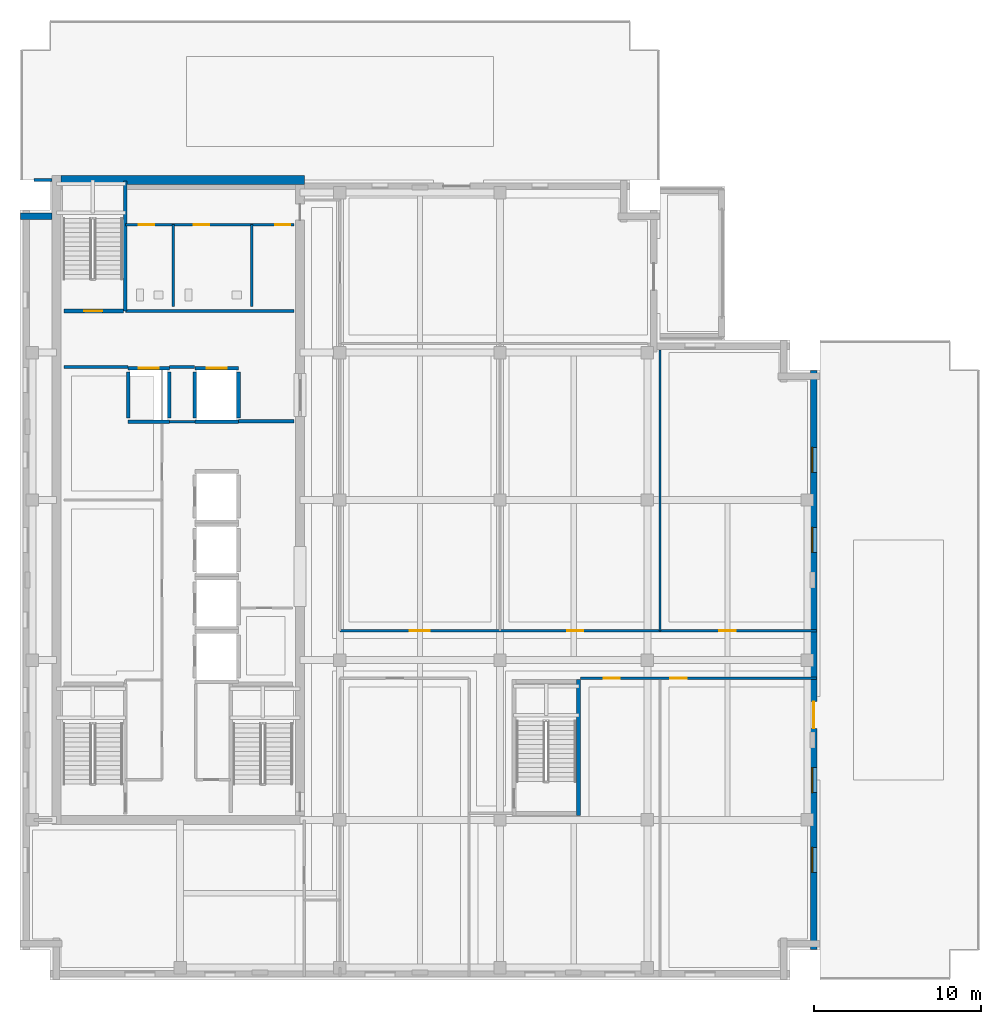
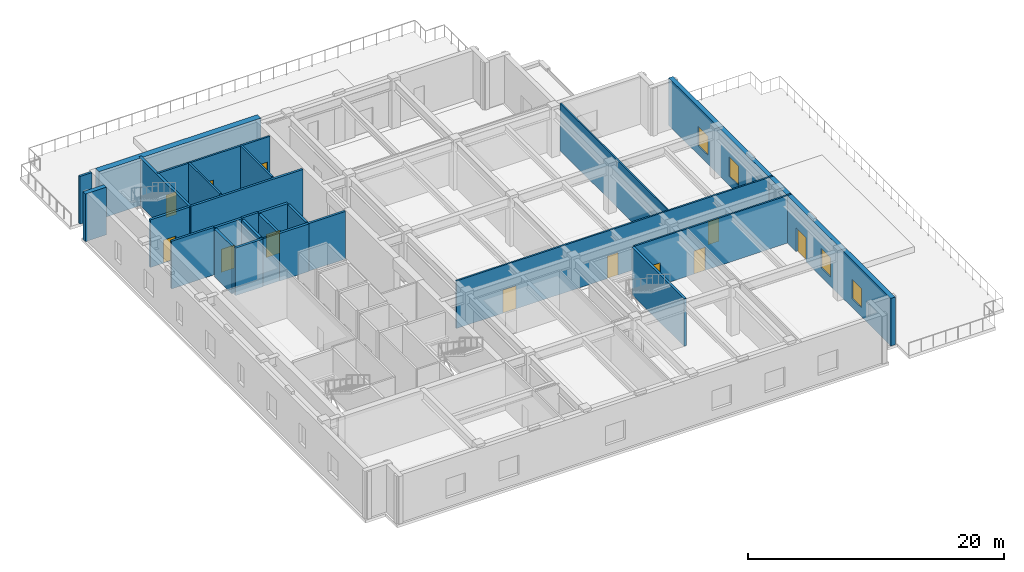
# One storey, part 5 of 11: 26 walls, 12 doors, 4 windows, 16 openings.
"""IFC4 building model written with IfcOpenShell, lengths in metres."""

from ifc_helpers import new_model, si_unit, direction, frame, frame_2d, origin, place, context, subcontext, project, spatial, rectangle, extrude, material, layer, layer_set, type_object, element, fill, save


model = new_model("IFC4")

# Units and contexts
model_context = context("Model", 3, precision=1e-05, world=origin(), true_north=direction((0.0, 1.0)))
body_context = subcontext(model_context, "Body", "Model", "MODEL_VIEW")
ifc_project = project(units=[si_unit("LENGTHUNIT", "METRE"), si_unit("AREAUNIT", "SQUARE_METRE"), si_unit("VOLUMEUNIT", "CUBIC_METRE"), si_unit("PLANEANGLEUNIT", "RADIAN"), si_unit("MASSUNIT", "GRAM", prefix="KILO")], contexts=[model_context])

# Site, building, storey
site_placement = place(None, origin())
site = spatial("IfcSite", under=ifc_project, at=site_placement, CompositionType="ELEMENT")
building_placement = place(site_placement, origin())
building = spatial("IfcBuilding", under=site, at=building_placement, Name="Norrvale University Quadrangle", CompositionType="ELEMENT")
storey_placement = place(building_placement, frame((0.0, 0.0, 261.0)))
storey = spatial("IfcBuildingStorey", under=building, at=storey_placement, Name="L66", CompositionType="ELEMENT", Elevation=261.0)

# Walls
ifc_material_1 = material(Name="Concrete C60/75", Category="concrete")
ifc_layer_1 = layer(ifc_material_1, 0.550048828125, Name="Concrete C60/75")
ifc_layer_set_1 = layer_set([ifc_layer_1], Name="Concrete C60/75")
wall_type_1 = type_object("IfcWallType", Name="Wall Core 550", PredefinedType="SHEAR", material=ifc_layer_set_1)
wall_1_placement = place(storey_placement, frame((2.47509765625, 48.0, 0.0), z_axis=(0.0, 0.0, 1.0), x_axis=(1.0, 0.0, 0.0)))
element("IfcWall", 1, at=wall_1_placement, inside=storey, type_object=wall_type_1, Name="Tower Core Shear Wall L66-N", PredefinedType="SHEAR", context=body_context, shape_type="SweptSolid", body=[
    extrude(rectangle(XDim=14.599853515625, YDim=0.550048828125, at=frame_2d((7.2998046875, 0.0))), origin(), (0.0, 0.0, 1.0), 4.5400390625),
])
ifc_material_2 = material(Name="Standard Academic Gypsum Partition")
ifc_layer_2 = layer(ifc_material_2, 0.125, Name="Standard Academic Gypsum Partition")
ifc_layer_set_2 = layer_set([ifc_layer_2], Name="Standard Academic Gypsum Partition")
wall_type_2 = type_object("IfcWallType", Name="Wall Gypsum Academic 125", PredefinedType="PARTITIONING", material=ifc_layer_set_2)
wall_2_placement = place(storey_placement, frame((38.39990234375, 20.949951171875, 0.0), z_axis=(0.0, 0.0, 1.0), x_axis=(0.0, 1.0, 0.0)))
element("IfcWall", 2, at=wall_2_placement, inside=storey, type_object=wall_type_2, Name="Interior Partition WL-L66-MEP02", PredefinedType="PARTITIONING", context=body_context, shape_type="SweptSolid", body=[
    extrude(rectangle(XDim=16.840087890625, YDim=0.125, at=frame_2d((8.419921875, 0.0))), origin(), (0.0, 0.0, 1.0), 4.5400390625),
])
ifc_material_3 = material(Name="Fire-Rated Gypsum Stud Partition")
ifc_layer_3 = layer(ifc_material_3, 0.14990234375, Name="Fire-Rated Gypsum Stud Partition")
ifc_layer_set_3 = layer_set([ifc_layer_3], Name="Fire-Rated Gypsum Stud Partition")
wall_type_3 = type_object("IfcWallType", Name="Wall Gypsum Corridor 150", PredefinedType="PARTITIONING", material=ifc_layer_set_3)
wall_3_placement = place(storey_placement, frame((8.965087890625, 33.489990234375, 0.0), z_axis=(0.0, 0.0, 1.0), x_axis=(1.0, 0.0, 0.0)))
element("IfcWall", 3, at=wall_3_placement, inside=storey, type_object=wall_type_3, Name="Interior Partition WL-L66-LL3", PredefinedType="PARTITIONING", context=body_context, shape_type="SweptSolid", body=[
    extrude(rectangle(XDim=1.52001953125, YDim=0.14990234375, at=frame_2d((0.760009765625, 0.0))), origin(), (0.0, 0.0, 1.0), 4.5400390625),
])

# Wall, openings, doors
wall_4_placement = place(storey_placement, frame((33.6201171875, 18.10009765625, 0.0), z_axis=(0.0, 0.0, 1.0), x_axis=(1.0, 0.0, 0.0)))
wall_4 = element("IfcWall", 4, at=wall_4_placement, inside=storey, type_object=wall_type_3, Name="Interior Partition WL-L66-SEW2", PredefinedType="PARTITIONING", context=body_context, shape_type="SweptSolid", body=[
    extrude(rectangle(XDim=14.159912109375, YDim=0.14990234375, at=frame_2d((7.080078125, 0.0))), origin(), (0.0, 0.0, 1.0), 4.5400390625),
])
opening_1_placement = place(wall_4_placement, frame((1.39990234375, 0.0, 0.0)))
opening_1 = element("IfcOpeningElement", 5, at=opening_1_placement, cuts=wall_4, Name="Opening D07", PredefinedType="OPENING", context=body_context, shape_type="SweptSolid", body=[
    extrude(rectangle(XDim=0.949951171875, YDim=2.14990234375, at=frame_2d((0.47509765625, 1.074951171875))), frame((0.0, 0.0869140625, 0.0), z_axis=(0.0, -1.0, 0.0), x_axis=(1.0, 0.0, 0.0)), (0.0, 0.0, 1.0), 0.173828125),
])
opening_2_placement = place(wall_4_placement, frame((5.39990234375, 0.0, 0.0)))
opening_2 = element("IfcOpeningElement", 6, at=opening_2_placement, cuts=wall_4, Name="Opening D04", PredefinedType="OPENING", context=body_context, shape_type="SweptSolid", body=[
    extrude(rectangle(XDim=1.0, YDim=2.199951171875, at=frame_2d((0.5, 1.10009765625))), frame((0.0, 0.0869140625, 0.0), z_axis=(0.0, -1.0, 0.0), x_axis=(1.0, 0.0, 0.0)), (0.0, 0.0, 1.0), 0.173828125),
])
ifc_material_4 = material(Name="Solid-Core Oak Fire Door", Category="wood")
door_type_1 = type_object("IfcDoorType", Name="Door Corridor 1000x2200", OperationType="NOTDEFINED", PredefinedType="DOOR", material=ifc_material_4)
door_1_placement = place(opening_2_placement, origin())
door_1 = element("IfcDoor", 7, at=door_1_placement, inside=storey, type_object=door_type_1, Name="Door Corridor 1000x2200 DR-L66-SE3", OperationType="SINGLE_SWING_LEFT", OverallHeight=2.199951171875, OverallWidth=1.0, PredefinedType="DOOR", context=body_context, shape_type="SweptSolid", body=[
    extrude(rectangle(XDim=1.0, YDim=2.199951171875, at=frame_2d((0.5, 1.10009765625))), frame((0.0, 0.02490234375, 0.0), z_axis=(0.0, -1.0, 0.0), x_axis=(1.0, 0.0, 0.0)), (0.0, 0.0, 1.0), 0.050048828125),
])
fill(opening_2, door_1)
ifc_material_5 = material(Name="Solid-Core Maple Door", Category="wood")
door_type_2 = type_object("IfcDoorType", Name="Door Office 950x2150", OperationType="NOTDEFINED", PredefinedType="DOOR", material=ifc_material_5)
door_2_placement = place(opening_1_placement, origin())
door_2 = element("IfcDoor", 8, at=door_2_placement, inside=storey, type_object=door_type_2, Name="Door Office 950x2150 DR-L66-SE2", OperationType="SINGLE_SWING_RIGHT", OverallHeight=2.14990234375, OverallWidth=0.949951171875, PredefinedType="DOOR", context=body_context, shape_type="SweptSolid", body=[
    extrude(rectangle(XDim=0.949951171875, YDim=2.14990234375, at=frame_2d((0.47509765625, 1.074951171875))), frame((0.0, 0.02490234375, 0.0), z_axis=(0.0, -1.0, 0.0), x_axis=(1.0, 0.0, 0.0)), (0.0, 0.0, 1.0), 0.050048828125),
])
fill(opening_1, door_2)

wall_5_placement = place(storey_placement, frame((19.199951171875, 20.949951171875, 0.0), z_axis=(0.0, 0.0, 1.0), x_axis=(1.0, 0.0, 0.0)))
wall_5 = element("IfcWall", 9, at=wall_5_placement, inside=storey, type_object=wall_type_3, Name="Interior Partition WL-L66-MECW", PredefinedType="PARTITIONING", context=body_context, shape_type="SweptSolid", body=[
    extrude(rectangle(XDim=28.580078125, YDim=0.14990234375, at=frame_2d((14.2900390625, 0.0))), origin(), (0.0, 0.0, 1.0), 4.5400390625),
])
opening_3_placement = place(wall_5_placement, frame((4.199951171875, 0.0, 0.0)))
opening_3 = element("IfcOpeningElement", 10, at=opening_3_placement, cuts=wall_5, Name="Opening D05", PredefinedType="OPENING", context=body_context, shape_type="SweptSolid", body=[
    extrude(rectangle(XDim=1.199951171875, YDim=2.199951171875, at=frame_2d((0.60009765625, 1.10009765625))), frame((0.0, 0.0869140625, 0.0), z_axis=(0.0, -1.0, 0.0), x_axis=(1.0, 0.0, 0.0)), (0.0, 0.0, 1.0), 0.173828125),
])
opening_4_placement = place(wall_5_placement, frame((13.64990234375, 0.0, 0.0)))
opening_4 = element("IfcOpeningElement", 11, at=opening_4_placement, cuts=wall_5, Name="Opening D07", PredefinedType="OPENING", context=body_context, shape_type="SweptSolid", body=[
    extrude(rectangle(XDim=0.949951171875, YDim=2.14990234375, at=frame_2d((0.47509765625, 1.074951171875))), frame((0.0, 0.0869140625, 0.0), z_axis=(0.0, -1.0, 0.0), x_axis=(1.0, 0.0, 0.0)), (0.0, 0.0, 1.0), 0.173828125),
])
opening_5_placement = place(wall_5_placement, frame((22.75, 0.0, 0.0)))
opening_5 = element("IfcOpeningElement", 12, at=opening_5_placement, cuts=wall_5, Name="Opening D04", PredefinedType="OPENING", context=body_context, shape_type="SweptSolid", body=[
    extrude(rectangle(XDim=1.0, YDim=2.199951171875, at=frame_2d((0.5, 1.10009765625))), frame((0.0, 0.0869140625, 0.0), z_axis=(0.0, -1.0, 0.0), x_axis=(1.0, 0.0, 0.0)), (0.0, 0.0, 1.0), 0.173828125),
])
ifc_material_6 = material(Name="Acoustic Oak Classroom Door", Category="wood")
door_type_3 = type_object("IfcDoorType", Name="Door Classroom 1200x2200", OperationType="NOTDEFINED", PredefinedType="DOOR", material=ifc_material_6)
door_3_placement = place(opening_3_placement, origin())
door_3 = element("IfcDoor", 13, at=door_3_placement, inside=storey, type_object=door_type_3, Name="Door Classroom 1200x2200 DR-L66-ME01", OperationType="SINGLE_SWING_LEFT", OverallHeight=2.199951171875, OverallWidth=1.199951171875, PredefinedType="DOOR", context=body_context, shape_type="SweptSolid", body=[
    extrude(rectangle(XDim=1.199951171875, YDim=2.199951171875, at=frame_2d((0.60009765625, 1.10009765625))), frame((0.0, 0.02490234375, 0.0), z_axis=(0.0, -1.0, 0.0), x_axis=(1.0, 0.0, 0.0)), (0.0, 0.0, 1.0), 0.050048828125),
])
fill(opening_3, door_3)
door_4_placement = place(opening_5_placement, origin())
door_4 = element("IfcDoor", 14, at=door_4_placement, inside=storey, type_object=door_type_1, Name="Door Corridor 1000x2200 DR-L66-ME03", OperationType="SINGLE_SWING_LEFT", OverallHeight=2.199951171875, OverallWidth=1.0, PredefinedType="DOOR", context=body_context, shape_type="SweptSolid", body=[
    extrude(rectangle(XDim=1.0, YDim=2.199951171875, at=frame_2d((0.5, 1.10009765625))), frame((0.0, 0.02490234375, 0.0), z_axis=(0.0, -1.0, 0.0), x_axis=(1.0, 0.0, 0.0)), (0.0, 0.0, 1.0), 0.050048828125),
])
fill(opening_5, door_4)
door_5_placement = place(opening_4_placement, origin())
door_5 = element("IfcDoor", 15, at=door_5_placement, inside=storey, type_object=door_type_2, Name="Door Office 950x2150 DR-L66-ME02", OperationType="SINGLE_SWING_RIGHT", OverallHeight=2.14990234375, OverallWidth=0.949951171875, PredefinedType="DOOR", context=body_context, shape_type="SweptSolid", body=[
    extrude(rectangle(XDim=0.949951171875, YDim=2.14990234375, at=frame_2d((0.47509765625, 1.074951171875))), frame((0.0, 0.02490234375, 0.0), z_axis=(0.0, -1.0, 0.0), x_axis=(1.0, 0.0, 0.0)), (0.0, 0.0, 1.0), 0.050048828125),
])
fill(opening_4, door_5)

ifc_material_7 = material(Name="Sanitary Chase Gypsum Partition")
ifc_layer_4 = layer(ifc_material_7, 0.1650390625, Name="Sanitary Chase Gypsum Partition")
ifc_layer_set_4 = layer_set([ifc_layer_4], Name="Sanitary Chase Gypsum Partition")
wall_type_4 = type_object("IfcWallType", Name="Wall Gypsum Sanitary 165", PredefinedType="PLUMBINGWALL", material=ifc_layer_set_4)
wall_6_placement = place(storey_placement, frame((6.320068359375, 45.320068359375, 0.0), z_axis=(0.0, 0.0, 1.0), x_axis=(1.0, 0.0, 0.0)))
wall_6 = element("IfcWall", 16, at=wall_6_placement, inside=storey, type_object=wall_type_4, Name="Interior Partition WL-L66-WCN", PredefinedType="PLUMBINGWALL", context=body_context, shape_type="SweptSolid", body=[
    extrude(rectangle(XDim=10.1298828125, YDim=0.1650390625, at=frame_2d((5.06494140625, 0.0))), origin(), (0.0, 0.0, 1.0), 4.5400390625),
])
opening_6_placement = place(wall_6_placement, frame((0.800048828125, 0.0, 0.0)))
opening_6 = element("IfcOpeningElement", 17, at=opening_6_placement, cuts=wall_6, Name="Opening D08", PredefinedType="OPENING", context=body_context, shape_type="SweptSolid", body=[
    extrude(rectangle(XDim=0.919921875, YDim=2.14990234375, at=frame_2d((0.4599609375, 1.074951171875))), frame((0.0, 0.094482421875, 0.0), z_axis=(0.0, -1.0, 0.0), x_axis=(1.0, 0.0, 0.0)), (0.0, 0.0, 1.0), 0.18896484375),
])
opening_7_placement = place(wall_6_placement, frame((4.10009765625, 0.0, 0.0)))
opening_7 = element("IfcOpeningElement", 18, at=opening_7_placement, cuts=wall_6, Name="Opening D08", PredefinedType="OPENING", context=body_context, shape_type="SweptSolid", body=[
    extrude(rectangle(XDim=0.919921875, YDim=2.14990234375, at=frame_2d((0.4599609375, 1.074951171875))), frame((0.0, 0.094482421875, 0.0), z_axis=(0.0, -1.0, 0.0), x_axis=(1.0, 0.0, 0.0)), (0.0, 0.0, 1.0), 0.18896484375),
])
opening_8_placement = place(wall_6_placement, frame((8.97998046875, 0.0, 0.0)))
opening_8 = element("IfcOpeningElement", 19, at=opening_8_placement, cuts=wall_6, Name="Opening D08", PredefinedType="OPENING", context=body_context, shape_type="SweptSolid", body=[
    extrude(rectangle(XDim=0.919921875, YDim=2.14990234375, at=frame_2d((0.4599609375, 1.074951171875))), frame((0.0, 0.094482421875, 0.0), z_axis=(0.0, -1.0, 0.0), x_axis=(1.0, 0.0, 0.0)), (0.0, 0.0, 1.0), 0.18896484375),
])
ifc_material_8 = material(Name="Laminate Washroom Door", Category="wood")
door_type_4 = type_object("IfcDoorType", Name="Door Washroom 920x2150", OperationType="NOTDEFINED", PredefinedType="DOOR", material=ifc_material_8)
door_6_placement = place(opening_6_placement, origin())
door_6 = element("IfcDoor", 20, at=door_6_placement, inside=storey, type_object=door_type_4, Name="Door Washroom 920x2150 DR-L66-WC1", OperationType="SINGLE_SWING_LEFT", OverallHeight=2.14990234375, OverallWidth=0.919921875, PredefinedType="DOOR", context=body_context, shape_type="SweptSolid", body=[
    extrude(rectangle(XDim=0.919921875, YDim=2.14990234375, at=frame_2d((0.4599609375, 1.074951171875))), frame((0.0, 0.02490234375, 0.0), z_axis=(0.0, -1.0, 0.0), x_axis=(1.0, 0.0, 0.0)), (0.0, 0.0, 1.0), 0.050048828125),
])
fill(opening_6, door_6)
door_7_placement = place(opening_7_placement, origin())
door_7 = element("IfcDoor", 21, at=door_7_placement, inside=storey, type_object=door_type_4, Name="Door Washroom 920x2150 DR-L66-WC2", OperationType="SINGLE_SWING_RIGHT", OverallHeight=2.14990234375, OverallWidth=0.919921875, PredefinedType="DOOR", context=body_context, shape_type="SweptSolid", body=[
    extrude(rectangle(XDim=0.919921875, YDim=2.14990234375, at=frame_2d((0.4599609375, 1.074951171875))), frame((0.0, 0.02490234375, 0.0), z_axis=(0.0, -1.0, 0.0), x_axis=(1.0, 0.0, 0.0)), (0.0, 0.0, 1.0), 0.050048828125),
])
fill(opening_7, door_7)
door_8_placement = place(opening_8_placement, origin())
door_8 = element("IfcDoor", 22, at=door_8_placement, inside=storey, type_object=door_type_4, Name="Door Washroom 920x2150 DR-L66-WC3", OperationType="SINGLE_SWING_LEFT", OverallHeight=2.14990234375, OverallWidth=0.919921875, PredefinedType="DOOR", context=body_context, shape_type="SweptSolid", body=[
    extrude(rectangle(XDim=0.919921875, YDim=2.14990234375, at=frame_2d((0.4599609375, 1.074951171875))), frame((0.0, 0.02490234375, 0.0), z_axis=(0.0, -1.0, 0.0), x_axis=(1.0, 0.0, 0.0)), (0.0, 0.0, 1.0), 0.050048828125),
])
fill(opening_8, door_8)

# Walls
for number, where, z_axis, x_axis, name in (
    (23, (9.199951171875, 40.39990234375, 0.0), (0.0, 0.0, 1.0), (0.0, 1.0, 0.0), "Interior Partition WL-L66-WCM1"),
    (24, (13.89990234375, 40.39990234375, 0.0), (0.0, 0.0, 1.0), (0.0, 1.0, 0.0), "Interior Partition WL-L66-WCM2"),
):
    element("IfcWall", number, at=place(storey_placement, frame(where, z_axis=z_axis, x_axis=x_axis)), inside=storey, type_object=wall_type_4, Name=name, PredefinedType="PLUMBINGWALL", context=body_context, shape_type="SweptSolid", body=[
        extrude(rectangle(XDim=4.920166015625, YDim=0.1650390625, at=frame_2d((2.4599609375, 0.0))), origin(), (0.0, 0.0, 1.0), 4.5400390625),
    ])
ifc_material_9 = material(Name="Concrete Blockwork 20 MPa Rated Wall", Category="masonry")
ifc_layer_5 = layer(ifc_material_9, 0.199951171875, Name="Concrete Blockwork 20 MPa Rated Wall")
ifc_layer_set_5 = layer_set([ifc_layer_5], Name="Concrete Blockwork 20 MPa Rated Wall")
wall_type_5 = type_object("IfcWallType", Name="Wall Lobby 200", PredefinedType="SOLIDWALL", material=ifc_layer_set_5)
wall_7_placement = place(storey_placement, frame((2.64990234375, 36.780029296875, 0.0), z_axis=(0.0, 0.0, 1.0), x_axis=(1.0, 0.0, 0.0)))
element("IfcWall", 25, at=wall_7_placement, inside=storey, type_object=wall_type_5, Name="Interior Partition WL-L66-FF1", PredefinedType="SOLIDWALL", context=body_context, shape_type="SweptSolid", body=[
    extrude(rectangle(XDim=3.830078125, YDim=0.199951171875, at=frame_2d((1.9150390625, 0.0))), origin(), (0.0, 0.0, 1.0), 4.5400390625),
])
wall_8_placement = place(storey_placement, frame((8.969970703125, 36.780029296875, 0.0), z_axis=(0.0, 0.0, 1.0), x_axis=(1.0, 0.0, 0.0)))
element("IfcWall", 26, at=wall_8_placement, inside=storey, type_object=wall_type_5, Name="Interior Partition WL-L66-FF2", PredefinedType="SOLIDWALL", context=body_context, shape_type="SweptSolid", body=[
    extrude(rectangle(XDim=1.510009765625, YDim=0.199951171875, at=frame_2d((0.7548828125, 0.0))), origin(), (0.0, 0.0, 1.0), 4.5400390625),
])
wall_9_placement = place(storey_placement, frame((13.1201171875, 33.52001953125, 0.0), z_axis=(0.0, 0.0, 1.0), x_axis=(1.0, 0.0, 0.0)))
element("IfcWall", 27, at=wall_9_placement, inside=storey, type_object=wall_type_5, Name="Interior Partition WL-L66-FF3", PredefinedType="SOLIDWALL", context=body_context, shape_type="SweptSolid", body=[
    extrude(rectangle(XDim=3.329833984375, YDim=0.199951171875, at=frame_2d((1.6650390625, 0.0))), origin(), (0.0, 0.0, 1.0), 4.5400390625),
])
wall_10_placement = place(storey_placement, frame((6.320068359375, 40.139892578125, 0.0), z_axis=(0.0, 0.0, 1.0), x_axis=(1.0, 0.0, 0.0)))
element("IfcWall", 28, at=wall_10_placement, inside=storey, type_object=wall_type_5, Name="Interior Partition WL-L66-FF4", PredefinedType="SOLIDWALL", context=body_context, shape_type="SweptSolid", body=[
    extrude(rectangle(XDim=10.1298828125, YDim=0.199951171875, at=frame_2d((5.06494140625, 0.0))), origin(), (0.0, 0.0, 1.0), 4.5400390625),
])
wall_11_placement = place(storey_placement, frame((0.85009765625, 48.0, 0.0), z_axis=(0.0, 0.0, 1.0), x_axis=(1.0, 0.0, 0.0)))
element("IfcWall", 29, at=wall_11_placement, inside=storey, type_object=wall_type_5, Name="Interior Partition WL-L66-CWRET-N", PredefinedType="SOLIDWALL", context=body_context, shape_type="SweptSolid", body=[
    extrude(rectangle(XDim=1.06982421875, YDim=0.199951171875, at=frame_2d((0.534912109375, 0.0))), origin(), (0.0, 0.0, 1.0), 4.5400390625),
])

# Wall, openings, door, windows
ifc_material_10 = material(Name="Red Manganese Brick Masonry", Category="masonry")
ifc_layer_6 = layer(ifc_material_10, 0.39990234375, Name="Red Manganese Brick Masonry")
ifc_layer_set_6 = layer_set([ifc_layer_6], Name="Red Manganese Brick Masonry")
wall_type_6 = type_object("IfcWallType", Name="Wall Red Brick 400", PredefinedType="SOLIDWALL", material=ifc_layer_set_6)
wall_12_placement = place(storey_placement, frame((47.6201171875, 1.840087890625, 0.0), z_axis=(0.0, 0.0, 1.0), x_axis=(0.0, 1.0, 0.0)))
wall_12 = element("IfcWall", 30, at=wall_12_placement, inside=storey, type_object=wall_type_6, Name="Exterior Brick Facade Wall L66-04.1", PredefinedType="SOLIDWALL", context=body_context, shape_type="SweptSolid", body=[
    extrude(rectangle(XDim=34.719970703125, YDim=0.39990234375, at=frame_2d((17.35986328125, 0.0))), origin(), (0.0, 0.0, 1.0), 4.5400390625),
])
opening_9_placement = place(wall_12_placement, frame((13.260009765625, 0.0, 0.0)))
opening_9 = element("IfcOpeningElement", 31, at=opening_9_placement, cuts=wall_12, Name="Opening D09", PredefinedType="OPENING", context=body_context, shape_type="SweptSolid", body=[
    extrude(rectangle(XDim=1.60009765625, YDim=2.300048828125, at=frame_2d((0.800048828125, 1.14990234375))), frame((0.0, 0.2119140625, 0.0), z_axis=(0.0, -1.0, 0.0), x_axis=(1.0, 0.0, 0.0)), (0.0, 0.0, 1.0), 0.423828125),
])
opening_10_placement = place(wall_12_placement, frame((4.610107421875, 0.0, 0.85009765625)))
opening_10 = element("IfcOpeningElement", 32, at=opening_10_placement, cuts=wall_12, Name="Opening W03", PredefinedType="OPENING", context=body_context, shape_type="SweptSolid", body=[
    extrude(rectangle(XDim=1.5, YDim=1.85009765625, at=frame_2d((0.75, 0.925048828125))), frame((0.0, 0.2119140625, 0.0), z_axis=(0.0, -1.0, 0.0), x_axis=(1.0, 0.0, 0.0)), (0.0, 0.0, 1.0), 0.423828125),
])
opening_11_placement = place(wall_12_placement, frame((9.409912109375, 0.0, 0.85009765625)))
opening_11 = element("IfcOpeningElement", 33, at=opening_11_placement, cuts=wall_12, Name="Opening W03", PredefinedType="OPENING", context=body_context, shape_type="SweptSolid", body=[
    extrude(rectangle(XDim=1.5, YDim=1.85009765625, at=frame_2d((0.75, 0.925048828125))), frame((0.0, 0.2119140625, 0.0), z_axis=(0.0, -1.0, 0.0), x_axis=(1.0, 0.0, 0.0)), (0.0, 0.0, 1.0), 0.423828125),
])
opening_12_placement = place(wall_12_placement, frame((23.81005859375, 0.0, 0.85009765625)))
opening_12 = element("IfcOpeningElement", 34, at=opening_12_placement, cuts=wall_12, Name="Opening W03", PredefinedType="OPENING", context=body_context, shape_type="SweptSolid", body=[
    extrude(rectangle(XDim=1.5, YDim=1.85009765625, at=frame_2d((0.75, 0.925048828125))), frame((0.0, 0.2119140625, 0.0), z_axis=(0.0, -1.0, 0.0), x_axis=(1.0, 0.0, 0.0)), (0.0, 0.0, 1.0), 0.423828125),
])
opening_13_placement = place(wall_12_placement, frame((28.610107421875, 0.0, 0.85009765625)))
opening_13 = element("IfcOpeningElement", 35, at=opening_13_placement, cuts=wall_12, Name="Opening W03", PredefinedType="OPENING", context=body_context, shape_type="SweptSolid", body=[
    extrude(rectangle(XDim=1.5, YDim=1.85009765625, at=frame_2d((0.75, 0.925048828125))), frame((0.0, 0.2119140625, 0.0), z_axis=(0.0, -1.0, 0.0), x_axis=(1.0, 0.0, 0.0)), (0.0, 0.0, 1.0), 0.423828125),
])
ifc_material_11 = material(Name="Thermally Broken Glazed Terrace Door")
door_type_5 = type_object("IfcDoorType", Name="Door Terrace 1600x2300", OperationType="DOUBLE_SWING_LEFT", PredefinedType="DOOR", material=ifc_material_11)
door_9_placement = place(opening_9_placement, frame((1.60009765625, 0.0, 0.0), z_axis=(0.0, 0.0, 1.0), x_axis=(-1.0, 0.0, 0.0)))
door_9 = element("IfcDoor", 36, at=door_9_placement, inside=storey, type_object=door_type_5, Name="Door Terrace 1600x2300 DR-L66-TERR-E", OperationType="DOUBLE_SWING_LEFT", OverallHeight=2.300048828125, OverallWidth=1.60009765625, PredefinedType="DOOR", context=body_context, shape_type="SweptSolid", body=[
    extrude(rectangle(XDim=1.60009765625, YDim=2.300048828125, at=frame_2d((0.800048828125, 1.14990234375))), frame((0.0, 0.02490234375, 0.0), z_axis=(0.0, -1.0, 0.0), x_axis=(1.0, 0.0, 0.0)), (0.0, 0.0, 1.0), 0.050048828125),
])
fill(opening_9, door_9)
ifc_material_12 = material(Name="Triple Low-E Argon Glazing", Category="glass")
window_type = type_object("IfcWindowType", Name="Window Studio 1500x2300", PartitioningType="DOUBLE_PANEL_VERTICAL", PredefinedType="WINDOW", material=ifc_material_12)
window_1_placement = place(opening_10_placement, origin())
window_1 = element("IfcWindow", 37, at=window_1_placement, inside=storey, type_object=window_type, Name="Window Studio 1500x2300 WIN-L66-E04-1-01", OverallHeight=1.85009765625, OverallWidth=1.5, PartitioningType="DOUBLE_PANEL_VERTICAL", PredefinedType="WINDOW", context=body_context, shape_type="SweptSolid", body=[
    extrude(rectangle(XDim=1.5, YDim=1.85009765625, at=frame_2d((0.75, 0.925048828125))), frame((0.0, 0.110107421875, 0.0), z_axis=(0.0, -1.0, 0.0), x_axis=(1.0, 0.0, 0.0)), (0.0, 0.0, 1.0), 0.06005859375),
])
fill(opening_10, window_1)
window_2_placement = place(opening_11_placement, origin())
window_2 = element("IfcWindow", 38, at=window_2_placement, inside=storey, type_object=window_type, Name="Window Studio 1500x2300 WIN-L66-E04-1-02", OverallHeight=1.85009765625, OverallWidth=1.5, PartitioningType="DOUBLE_PANEL_VERTICAL", PredefinedType="WINDOW", context=body_context, shape_type="SweptSolid", body=[
    extrude(rectangle(XDim=1.5, YDim=1.85009765625, at=frame_2d((0.75, 0.925048828125))), frame((0.0, 0.110107421875, 0.0), z_axis=(0.0, -1.0, 0.0), x_axis=(1.0, 0.0, 0.0)), (0.0, 0.0, 1.0), 0.06005859375),
])
fill(opening_11, window_2)
window_3_placement = place(opening_12_placement, origin())
window_3 = element("IfcWindow", 39, at=window_3_placement, inside=storey, type_object=window_type, Name="Window Studio 1500x2300 WIN-L66-E04-1-03", OverallHeight=1.85009765625, OverallWidth=1.5, PartitioningType="DOUBLE_PANEL_VERTICAL", PredefinedType="WINDOW", context=body_context, shape_type="SweptSolid", body=[
    extrude(rectangle(XDim=1.5, YDim=1.85009765625, at=frame_2d((0.75, 0.925048828125))), frame((0.0, 0.110107421875, 0.0), z_axis=(0.0, -1.0, 0.0), x_axis=(1.0, 0.0, 0.0)), (0.0, 0.0, 1.0), 0.06005859375),
])
fill(opening_12, window_3)
window_4_placement = place(opening_13_placement, origin())
window_4 = element("IfcWindow", 40, at=window_4_placement, inside=storey, type_object=window_type, Name="Window Studio 1500x2300 WIN-L66-E04-1-04", OverallHeight=1.85009765625, OverallWidth=1.5, PartitioningType="DOUBLE_PANEL_VERTICAL", PredefinedType="WINDOW", context=body_context, shape_type="SweptSolid", body=[
    extrude(rectangle(XDim=1.5, YDim=1.85009765625, at=frame_2d((0.75, 0.925048828125))), frame((0.0, 0.110107421875, 0.0), z_axis=(0.0, -1.0, 0.0), x_axis=(1.0, 0.0, 0.0)), (0.0, 0.0, 1.0), 0.06005859375),
])
fill(opening_13, window_4)

# Wall
wall_13_placement = place(storey_placement, frame((1.925048828125, 45.820068359375, 0.0), z_axis=(0.0, 0.0, 1.0), x_axis=(-1.0, 0.0, 0.0)))
element("IfcWall", 41, at=wall_13_placement, inside=storey, type_object=wall_type_6, Name="Exterior Brick Facade Wall L66-13.1", PredefinedType="SOLIDWALL", context=body_context, shape_type="SweptSolid", body=[
    extrude(rectangle(XDim=1.885009765625, YDim=0.39990234375, at=frame_2d((0.9423828125, 0.0))), origin(), (0.0, 0.0, 1.0), 4.5400390625),
])

# Wall, opening, door
ifc_material_13 = material(Name="Concrete Blockwork 20 MPa Fire Shaft", Category="masonry")
ifc_layer_7 = layer(ifc_material_13, 0.219970703125, Name="Concrete Blockwork 20 MPa Fire Shaft")
ifc_layer_set_7 = layer_set([ifc_layer_7], Name="Concrete Blockwork 20 MPa Fire Shaft")
wall_type_7 = type_object("IfcWallType", Name="Wall Shaft 220", PredefinedType="SOLIDWALL", material=ifc_layer_set_7)
wall_14_placement = place(storey_placement, frame((2.64990234375, 40.139892578125, 0.0), z_axis=(0.0, 0.0, 1.0), x_axis=(1.0, 0.0, 0.0)))
wall_14 = element("IfcWall", 42, at=wall_14_placement, inside=storey, type_object=wall_type_7, Name="Stair ST-02 South Shaft Wall L66", PredefinedType="SOLIDWALL", context=body_context, shape_type="SweptSolid", body=[
    extrude(rectangle(XDim=3.550048828125, YDim=0.219970703125, at=frame_2d((1.77490234375, 0.0))), origin(), (0.0, 0.0, 1.0), 4.5400390625),
])
opening_14_placement = place(wall_14_placement, frame((1.199951171875, 0.0, 0.0)))
opening_14 = element("IfcOpeningElement", 43, at=opening_14_placement, cuts=wall_14, Name="Opening D02", PredefinedType="OPENING", context=body_context, shape_type="SweptSolid", body=[
    extrude(rectangle(XDim=1.10009765625, YDim=2.199951171875, at=frame_2d((0.550048828125, 1.10009765625))), frame((0.0, 0.1220703125, 0.0), z_axis=(0.0, -1.0, 0.0), x_axis=(1.0, 0.0, 0.0)), (0.0, 0.0, 1.0), 0.243896484375),
])
ifc_material_14 = material(Name="Hollow Steel 350W Fire Door", Category="steel")
door_type_6 = type_object("IfcDoorType", Name="Door Stair Exit 1100x2200", OperationType="NOTDEFINED", PredefinedType="DOOR", material=ifc_material_14)
door_10_placement = place(opening_14_placement, origin())
door_10 = element("IfcDoor", 44, at=door_10_placement, inside=storey, type_object=door_type_6, Name="Door Stair Exit 1100x2200 DR-L66-ST02", OperationType="SINGLE_SWING_LEFT", OverallHeight=2.199951171875, OverallWidth=1.10009765625, PredefinedType="DOOR", context=body_context, shape_type="SweptSolid", body=[
    extrude(rectangle(XDim=1.10009765625, YDim=2.199951171875, at=frame_2d((0.550048828125, 1.10009765625))), frame((0.0, 0.02490234375, 0.0), z_axis=(0.0, -1.0, 0.0), x_axis=(1.0, 0.0, 0.0)), (0.0, 0.0, 1.0), 0.050048828125),
])
fill(opening_14, door_10)

# Walls
wall_15_placement = place(storey_placement, frame((6.31005859375, 40.139892578125, 0.0), z_axis=(0.0, 0.0, 1.0), x_axis=(0.0, 1.0, 0.0)))
element("IfcWall", 45, at=wall_15_placement, inside=storey, type_object=wall_type_7, Name="Stair ST-02 East Shaft Wall L66", PredefinedType="SOLIDWALL", context=body_context, shape_type="SweptSolid", body=[
    extrude(rectangle(XDim=7.81005859375, YDim=0.219970703125, at=frame_2d((3.905029296875, 0.0))), origin(), (0.0, 0.0, 1.0), 4.5400390625),
])
wall_16_placement = place(storey_placement, frame((33.510009765625, 9.8798828125, 0.0), z_axis=(0.0, 0.0, 1.0), x_axis=(0.0, 1.0, 0.0)))
element("IfcWall", 46, at=wall_16_placement, inside=storey, type_object=wall_type_7, Name="Stair ST-04 East Shaft Wall L66", PredefinedType="SOLIDWALL", context=body_context, shape_type="SweptSolid", body=[
    extrude(rectangle(XDim=8.14013671875, YDim=0.219970703125, at=frame_2d((4.070068359375, 0.0))), origin(), (0.0, 0.0, 1.0), 4.5400390625),
])
for number, where, z_axis, x_axis, name in (
    (47, (6.489990234375, 33.7099609375, 0.0), (0.0, 0.0, 1.0), (0.0, 1.0, 0.0), "Hoistway FFL-01 West Wall L66"),
    (48, (8.9599609375, 33.7099609375, 0.0), (0.0, 0.0, 1.0), (0.0, 1.0, 0.0), "Hoistway FFL-01 East Wall L66"),
):
    element("IfcWall", number, at=place(storey_placement, frame(where, z_axis=z_axis, x_axis=x_axis)), inside=storey, type_object=wall_type_7, Name=name, PredefinedType="SOLIDWALL", context=body_context, shape_type="SweptSolid", body=[
        extrude(rectangle(XDim=2.780029296875, YDim=0.219970703125, at=frame_2d((1.39013671875, 0.0))), origin(), (0.0, 0.0, 1.0), 4.5400390625),
    ])
wall_17_placement = place(storey_placement, frame((6.489990234375, 33.489990234375, 0.0), z_axis=(0.0, 0.0, 1.0), x_axis=(1.0, 0.0, 0.0)))
element("IfcWall", 49, at=wall_17_placement, inside=storey, type_object=wall_type_7, Name="Hoistway FFL-01 South Wall L66", PredefinedType="SOLIDWALL", context=body_context, shape_type="SweptSolid", body=[
    extrude(rectangle(XDim=2.469970703125, YDim=0.219970703125, at=frame_2d((1.23486328125, 0.0))), origin(), (0.0, 0.0, 1.0), 4.5400390625),
])

# Wall, opening, door
wall_18_placement = place(storey_placement, frame((6.489990234375, 36.7099609375, 0.0), z_axis=(0.0, 0.0, 1.0), x_axis=(1.0, 0.0, 0.0)))
wall_18 = element("IfcWall", 50, at=wall_18_placement, inside=storey, type_object=wall_type_7, Name="Hoistway FFL-01 North Wall L66", PredefinedType="SOLIDWALL", context=body_context, shape_type="SweptSolid", body=[
    extrude(rectangle(XDim=2.469970703125, YDim=0.219970703125, at=frame_2d((1.23486328125, 0.0))), origin(), (0.0, 0.0, 1.0), 4.5400390625),
])
opening_15_placement = place(wall_18_placement, frame((0.635009765625, 0.0, 0.0)))
opening_15 = element("IfcOpeningElement", 51, at=opening_15_placement, cuts=wall_18, Name="Opening LD2", PredefinedType="OPENING", context=body_context, shape_type="SweptSolid", body=[
    extrude(rectangle(XDim=1.199951171875, YDim=2.199951171875, at=frame_2d((0.60009765625, 1.10009765625))), frame((0.0, 0.1220703125, 0.0), z_axis=(0.0, -1.0, 0.0), x_axis=(1.0, 0.0, 0.0)), (0.0, 0.0, 1.0), 0.243896484375),
])
ifc_material_15 = material(Name="Stainless Steel 316L Firefighter Lift Door", Category="steel")
door_type_7 = type_object("IfcDoorType", Name="Door Fire Lift 1200x2200", OperationType="DOUBLE_DOOR_SLIDING", PredefinedType="DOOR", material=ifc_material_15)
door_11_placement = place(opening_15_placement, origin())
door_11 = element("IfcDoor", 52, at=door_11_placement, inside=storey, type_object=door_type_7, Name="Elevator Landing Door DR-L66-FFL-01", OperationType="DOUBLE_DOOR_SLIDING", OverallHeight=2.199951171875, OverallWidth=1.199951171875, PredefinedType="DOOR", context=body_context, shape_type="SweptSolid", body=[
    extrude(rectangle(XDim=1.199951171875, YDim=2.199951171875, at=frame_2d((0.60009765625, 1.10009765625))), frame((0.0, 0.02490234375, 0.0), z_axis=(0.0, -1.0, 0.0), x_axis=(1.0, 0.0, 0.0)), (0.0, 0.0, 1.0), 0.050048828125),
])
fill(opening_15, door_11)

# Walls
for number, where, z_axis, x_axis, name in (
    (53, (10.489990234375, 33.7099609375, 0.0), (0.0, 0.0, 1.0), (0.0, 1.0, 0.0), "Hoistway FFL-02 West Wall L66"),
    (54, (13.110107421875, 33.7099609375, 0.0), (0.0, 0.0, 1.0), (0.0, 1.0, 0.0), "Hoistway FFL-02 East Wall L66"),
):
    element("IfcWall", number, at=place(storey_placement, frame(where, z_axis=z_axis, x_axis=x_axis)), inside=storey, type_object=wall_type_7, Name=name, PredefinedType="SOLIDWALL", context=body_context, shape_type="SweptSolid", body=[
        extrude(rectangle(XDim=2.780029296875, YDim=0.219970703125, at=frame_2d((1.39013671875, 0.0))), origin(), (0.0, 0.0, 1.0), 4.5400390625),
    ])
wall_19_placement = place(storey_placement, frame((10.489990234375, 33.489990234375, 0.0), z_axis=(0.0, 0.0, 1.0), x_axis=(1.0, 0.0, 0.0)))
element("IfcWall", 55, at=wall_19_placement, inside=storey, type_object=wall_type_7, Name="Hoistway FFL-02 South Wall L66", PredefinedType="SOLIDWALL", context=body_context, shape_type="SweptSolid", body=[
    extrude(rectangle(XDim=2.6201171875, YDim=0.219970703125, at=frame_2d((1.31005859375, 0.0))), origin(), (0.0, 0.0, 1.0), 4.5400390625),
])

# Wall, opening, door
wall_20_placement = place(storey_placement, frame((10.489990234375, 36.7099609375, 0.0), z_axis=(0.0, 0.0, 1.0), x_axis=(1.0, 0.0, 0.0)))
wall_20 = element("IfcWall", 56, at=wall_20_placement, inside=storey, type_object=wall_type_7, Name="Hoistway FFL-02 North Wall L66", PredefinedType="SOLIDWALL", context=body_context, shape_type="SweptSolid", body=[
    extrude(rectangle(XDim=2.6201171875, YDim=0.219970703125, at=frame_2d((1.31005859375, 0.0))), origin(), (0.0, 0.0, 1.0), 4.5400390625),
])
opening_16_placement = place(wall_20_placement, frame((0.7099609375, 0.0, 0.0)))
opening_16 = element("IfcOpeningElement", 57, at=opening_16_placement, cuts=wall_20, Name="Opening LD2", PredefinedType="OPENING", context=body_context, shape_type="SweptSolid", body=[
    extrude(rectangle(XDim=1.199951171875, YDim=2.199951171875, at=frame_2d((0.60009765625, 1.10009765625))), frame((0.0, 0.1220703125, 0.0), z_axis=(0.0, -1.0, 0.0), x_axis=(1.0, 0.0, 0.0)), (0.0, 0.0, 1.0), 0.243896484375),
])
door_12_placement = place(opening_16_placement, origin())
door_12 = element("IfcDoor", 58, at=door_12_placement, inside=storey, type_object=door_type_7, Name="Elevator Landing Door DR-L66-FFL-02", OperationType="DOUBLE_DOOR_SLIDING", OverallHeight=2.199951171875, OverallWidth=1.199951171875, PredefinedType="DOOR", context=body_context, shape_type="SweptSolid", body=[
    extrude(rectangle(XDim=1.199951171875, YDim=2.199951171875, at=frame_2d((0.60009765625, 1.10009765625))), frame((0.0, 0.02490234375, 0.0), z_axis=(0.0, -1.0, 0.0), x_axis=(1.0, 0.0, 0.0)), (0.0, 0.0, 1.0), 0.050048828125),
])
fill(opening_16, door_12)

save(model, "model.ifc")
